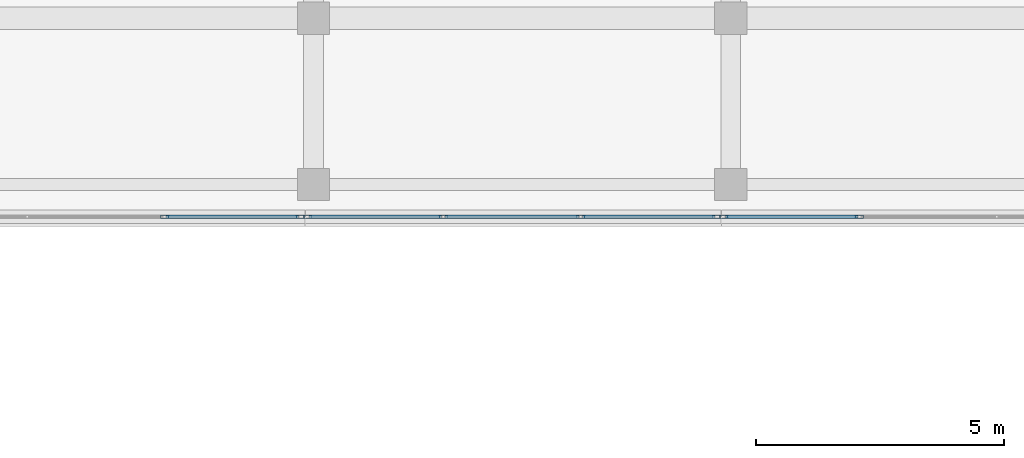
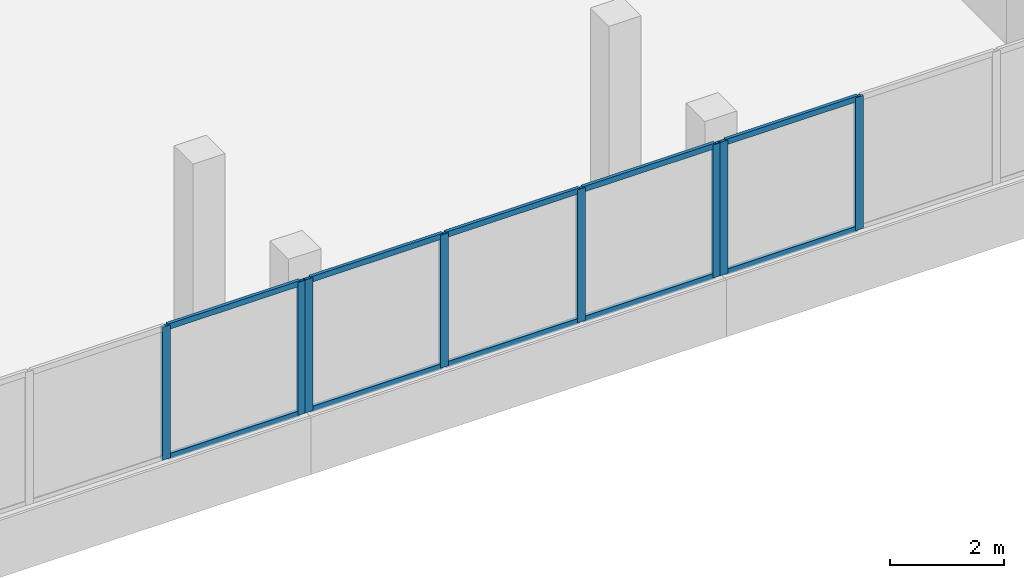
# One storey, part 29 of 76: 18 members, 3 elements without a shape of their own.
"""IFC4 building model written with IfcOpenShell, lengths in metres."""

from ifc_helpers import new_model, si_unit, direction, frame, origin, origin_2d, place, context, subcontext, project, spatial, hollow_rectangle, extrude, material, material_profile, profile_set, type_object, element, aggregate, save


model = new_model("IFC4")

# Units and contexts
model_context = context("Model", 3, precision=1e-05, world=origin(), true_north=direction((0.0, 1.0)))
body_context = subcontext(model_context, "Body", "Model", "MODEL_VIEW")
ifc_project = project(units=[si_unit("LENGTHUNIT", "METRE"), si_unit("AREAUNIT", "SQUARE_METRE"), si_unit("VOLUMEUNIT", "CUBIC_METRE"), si_unit("PLANEANGLEUNIT", "RADIAN"), si_unit("MASSUNIT", "GRAM", prefix="KILO")], contexts=[model_context])

# Site, building, storey
site_placement = place(None, origin())
site = spatial("IfcSite", under=ifc_project, at=site_placement, CompositionType="ELEMENT")
building_placement = place(site_placement, origin())
building = spatial("IfcBuilding", under=site, at=building_placement, Name="Selatvlak General Hospital", CompositionType="ELEMENT")
storey_placement = place(building_placement, frame((0.0, 0.0, 27.300048828125)))
storey = spatial("IfcBuildingStorey", under=building, at=storey_placement, Name="L06", CompositionType="ELEMENT", Elevation=27.300048828125)

# Curtain wall, members
ifc_material_1 = material(Name="Solar-control Low-E double glazing", Category="glass")
curtain_wall_type_1 = type_object("IfcCurtainWallType", Name="CW-CW-01", PredefinedType="USERDEFINED", material=ifc_material_1)
curtain_wall_1_placement = place(storey_placement, origin())
curtain_wall_1 = element("IfcCurtainWall", 1, at=curtain_wall_1_placement, inside=storey, type_object=curtain_wall_type_1, Name="Glazed facade curtain wall CW-L06-0629", ObjectType="UNITISED CURTAIN WALL", PredefinedType="USERDEFINED")
ifc_material_2 = material(Name="Dark anodised aluminium mullion", Category="aluminium")
ifc_material_profile_1 = material_profile(ifc_material_2, hollow_rectangle(XDim=0.06494140625, YDim=0.159912109375, WallThickness=0.00390625, at=origin_2d()), Name="AL-MUL 65x160x4")
ifc_profile_set_1 = profile_set([ifc_material_profile_1], Name="Dark anodised aluminium mullion")
member_type_1 = type_object("IfcMemberType", Name="CWM-01", PredefinedType="MULLION", material=ifc_profile_set_1)
member_1_placement = place(storey_placement, frame((100.991943359375, 88.000244140625, 0.93994140625), z_axis=(0.0, 0.0, 1.0), x_axis=(0.00012051097, -0.999999992739, 0.0)))
member_1 = element("IfcMember", 2, at=member_1_placement, type_object=member_type_1, Name="CW-01 mullion 3", PredefinedType="MULLION", context=body_context, shape_type="SweptSolid", body=[
    extrude(hollow_rectangle(XDim=0.06494140625, YDim=0.159912109375, WallThickness=0.00390625, at=origin_2d()), origin(), (0.0, 0.0, 1.0), 2.840087890625),
])
member_2_placement = place(storey_placement, frame((98.258544921875, 88.0, 0.93994140625), z_axis=(0.0, 0.0, 1.0), x_axis=(0.00012051097, -0.999999992739, 0.0)))
member_2 = element("IfcMember", 3, at=member_2_placement, type_object=member_type_1, Name="CW-01 mullion 4", PredefinedType="MULLION", context=body_context, shape_type="SweptSolid", body=[
    extrude(hollow_rectangle(XDim=0.06494140625, YDim=0.159912109375, WallThickness=0.00390625, at=origin_2d()), origin(), (0.0, 0.0, 1.0), 2.840087890625),
])

curtain_wall_type_2 = type_object("IfcCurtainWallType", Name="CW-CW-02", PredefinedType="USERDEFINED", material=ifc_material_1)
curtain_wall_2_placement = place(storey_placement, origin())
curtain_wall_2 = element("IfcCurtainWall", 4, at=curtain_wall_2_placement, inside=storey, type_object=curtain_wall_type_2, Name="Glazed facade curtain wall CW-L06-0630", ObjectType="UNITISED CURTAIN WALL", PredefinedType="USERDEFINED")
member_3_placement = place(storey_placement, frame((98.113525390625, 88.0, 0.93994140625), z_axis=(0.0, 0.0, 1.0), x_axis=(0.0, -1.0, 0.0)))
member_3 = element("IfcMember", 5, at=member_3_placement, type_object=member_type_1, Name="CW-02 mullion 1", PredefinedType="MULLION", context=body_context, shape_type="SweptSolid", body=[
    extrude(hollow_rectangle(XDim=0.06494140625, YDim=0.159912109375, WallThickness=0.00390625, at=origin_2d()), origin(), (0.0, 0.0, 1.0), 2.840087890625),
])
member_4_placement = place(storey_placement, frame((95.379638671875, 88.0, 0.93994140625), z_axis=(0.0, 0.0, 1.0), x_axis=(0.0, -1.0, 0.0)))
member_4 = element("IfcMember", 6, at=member_4_placement, type_object=member_type_1, Name="CW-02 mullion 2", PredefinedType="MULLION", context=body_context, shape_type="SweptSolid", body=[
    extrude(hollow_rectangle(XDim=0.06494140625, YDim=0.159912109375, WallThickness=0.00390625, at=origin_2d()), origin(), (0.0, 0.0, 1.0), 2.840087890625),
])
member_5_placement = place(storey_placement, frame((92.61328125, 88.0, 0.93994140625), z_axis=(0.0, 0.0, 1.0), x_axis=(0.0, -1.0, 0.0)))
member_5 = element("IfcMember", 7, at=member_5_placement, type_object=member_type_1, Name="CW-02 mullion 3", PredefinedType="MULLION", context=body_context, shape_type="SweptSolid", body=[
    extrude(hollow_rectangle(XDim=0.06494140625, YDim=0.159912109375, WallThickness=0.00390625, at=origin_2d()), origin(), (0.0, 0.0, 1.0), 2.840087890625),
])
member_6_placement = place(storey_placement, frame((89.87939453125, 88.0, 0.93994140625), z_axis=(0.0, 0.0, 1.0), x_axis=(0.0, -1.0, 0.0)))
member_6 = element("IfcMember", 8, at=member_6_placement, type_object=member_type_1, Name="CW-02 mullion 4", PredefinedType="MULLION", context=body_context, shape_type="SweptSolid", body=[
    extrude(hollow_rectangle(XDim=0.06494140625, YDim=0.159912109375, WallThickness=0.00390625, at=origin_2d()), origin(), (0.0, 0.0, 1.0), 2.840087890625),
])

curtain_wall_3_placement = place(storey_placement, origin())
curtain_wall_3 = element("IfcCurtainWall", 9, at=curtain_wall_3_placement, inside=storey, type_object=curtain_wall_type_1, Name="Glazed facade curtain wall CW-L06-0631", ObjectType="UNITISED CURTAIN WALL", PredefinedType="USERDEFINED")
member_7_placement = place(storey_placement, frame((89.734619140625, 88.0, 0.93994140625), z_axis=(0.0, 0.0, 1.0), x_axis=(0.0, -1.0, 0.0)))
member_7 = element("IfcMember", 10, at=member_7_placement, type_object=member_type_1, Name="CW-01 mullion 1", PredefinedType="MULLION", context=body_context, shape_type="SweptSolid", body=[
    extrude(hollow_rectangle(XDim=0.06494140625, YDim=0.159912109375, WallThickness=0.00390625, at=origin_2d()), origin(), (0.0, 0.0, 1.0), 2.840087890625),
])
member_8_placement = place(storey_placement, frame((87.000732421875, 88.0, 0.93994140625), z_axis=(0.0, 0.0, 1.0), x_axis=(0.0, -1.0, 0.0)))
member_8 = element("IfcMember", 11, at=member_8_placement, type_object=member_type_1, Name="CW-01 mullion 2", PredefinedType="MULLION", context=body_context, shape_type="SweptSolid", body=[
    extrude(hollow_rectangle(XDim=0.06494140625, YDim=0.159912109375, WallThickness=0.00390625, at=origin_2d()), origin(), (0.0, 0.0, 1.0), 2.840087890625),
])

# Member
ifc_material_profile_2 = material_profile(ifc_material_2, hollow_rectangle(XDim=0.06494140625, YDim=0.1201171875, WallThickness=0.00390625, at=origin_2d()), Name="AL-TRN 65x120x4")
ifc_profile_set_2 = profile_set([ifc_material_profile_2], Name="Dark anodised aluminium mullion")
member_type_2 = type_object("IfcMemberType", Name="CWT-01", PredefinedType="USERDEFINED", material=ifc_profile_set_2)
member_9_placement = place(storey_placement, frame((100.95947265625, 88.000244140625, 0.972412109375), z_axis=(-0.999999995815, -9.1491308e-05, 0.0), x_axis=(9.1491308e-05, -0.999999995815, 0.0)))
member_9 = element("IfcMember", 12, at=member_9_placement, type_object=member_type_2, Name="CW-01 transom 3.1", ObjectType="TRANSOM", PredefinedType="USERDEFINED", context=body_context, shape_type="SweptSolid", body=[
    extrude(hollow_rectangle(XDim=0.06494140625, YDim=0.1201171875, WallThickness=0.00390625, at=origin_2d()), origin(), (0.0, 0.0, 1.0), 2.66845703125),
])

member_10_placement = place(storey_placement, frame((100.95947265625, 88.000244140625, 3.74755859375), z_axis=(-0.999999995815, -9.1491308e-05, 0.0), x_axis=(9.1491308e-05, -0.999999995815, 0.0)))
member_10 = element("IfcMember", 13, at=member_10_placement, type_object=member_type_2, Name="CW-01 transom 3.2", ObjectType="TRANSOM", PredefinedType="USERDEFINED", context=body_context, shape_type="SweptSolid", body=[
    extrude(hollow_rectangle(XDim=0.06494140625, YDim=0.1201171875, WallThickness=0.00390625, at=origin_2d()), origin(), (0.0, 0.0, 1.0), 2.66845703125),
])

aggregate(curtain_wall_1, [member_1, member_2, member_9, member_10])

member_11_placement = place(storey_placement, frame((98.0810546875, 88.0, 0.972412109375), z_axis=(-1.0, 0.0, 0.0), x_axis=(0.0, -1.0, 0.0)))
member_11 = element("IfcMember", 14, at=member_11_placement, type_object=member_type_2, Name="CW-02 transom 1.1", ObjectType="TRANSOM", PredefinedType="USERDEFINED", context=body_context, shape_type="SweptSolid", body=[
    extrude(hollow_rectangle(XDim=0.06494140625, YDim=0.1201171875, WallThickness=0.00390625, at=origin_2d()), origin(), (0.0, 0.0, 1.0), 2.6689453125),
])

member_12_placement = place(storey_placement, frame((98.0810546875, 88.0, 3.74755859375), z_axis=(-1.0, 0.0, 0.0), x_axis=(0.0, -1.0, 0.0)))
member_12 = element("IfcMember", 15, at=member_12_placement, type_object=member_type_2, Name="CW-02 transom 1.2", ObjectType="TRANSOM", PredefinedType="USERDEFINED", context=body_context, shape_type="SweptSolid", body=[
    extrude(hollow_rectangle(XDim=0.06494140625, YDim=0.1201171875, WallThickness=0.00390625, at=origin_2d()), origin(), (0.0, 0.0, 1.0), 2.6689453125),
])

member_13_placement = place(storey_placement, frame((95.34716796875, 88.0, 0.972412109375), z_axis=(-1.0, 0.0, 0.0), x_axis=(0.0, -1.0, 0.0)))
member_13 = element("IfcMember", 16, at=member_13_placement, type_object=member_type_2, Name="CW-02 transom 2.1", ObjectType="TRANSOM", PredefinedType="USERDEFINED", context=body_context, shape_type="SweptSolid", body=[
    extrude(hollow_rectangle(XDim=0.06494140625, YDim=0.1201171875, WallThickness=0.00390625, at=origin_2d()), origin(), (0.0, 0.0, 1.0), 2.701416015625),
])

member_14_placement = place(storey_placement, frame((95.34716796875, 88.0, 3.74755859375), z_axis=(-1.0, 0.0, 0.0), x_axis=(0.0, -1.0, 0.0)))
member_14 = element("IfcMember", 17, at=member_14_placement, type_object=member_type_2, Name="CW-02 transom 2.2", ObjectType="TRANSOM", PredefinedType="USERDEFINED", context=body_context, shape_type="SweptSolid", body=[
    extrude(hollow_rectangle(XDim=0.06494140625, YDim=0.1201171875, WallThickness=0.00390625, at=origin_2d()), origin(), (0.0, 0.0, 1.0), 2.701416015625),
])

member_15_placement = place(storey_placement, frame((92.580810546875, 88.0, 0.972412109375), z_axis=(-1.0, 0.0, 0.0), x_axis=(0.0, -1.0, 0.0)))
member_15 = element("IfcMember", 18, at=member_15_placement, type_object=member_type_2, Name="CW-02 transom 3.1", ObjectType="TRANSOM", PredefinedType="USERDEFINED", context=body_context, shape_type="SweptSolid", body=[
    extrude(hollow_rectangle(XDim=0.06494140625, YDim=0.1201171875, WallThickness=0.00390625, at=origin_2d()), origin(), (0.0, 0.0, 1.0), 2.668701171875),
])

member_16_placement = place(storey_placement, frame((92.580810546875, 88.0, 3.74755859375), z_axis=(-1.0, 0.0, 0.0), x_axis=(0.0, -1.0, 0.0)))
member_16 = element("IfcMember", 19, at=member_16_placement, type_object=member_type_2, Name="CW-02 transom 3.2", ObjectType="TRANSOM", PredefinedType="USERDEFINED", context=body_context, shape_type="SweptSolid", body=[
    extrude(hollow_rectangle(XDim=0.06494140625, YDim=0.1201171875, WallThickness=0.00390625, at=origin_2d()), origin(), (0.0, 0.0, 1.0), 2.668701171875),
])

aggregate(curtain_wall_2, [member_3, member_4, member_5, member_6, member_11, member_12, member_13, member_14, member_15, member_16])

member_17_placement = place(storey_placement, frame((89.701904296875, 88.0, 0.972412109375), z_axis=(-1.0, 0.0, 0.0), x_axis=(0.0, -1.0, 0.0)))
member_17 = element("IfcMember", 20, at=member_17_placement, type_object=member_type_2, Name="CW-01 transom 1.1", ObjectType="TRANSOM", PredefinedType="USERDEFINED", context=body_context, shape_type="SweptSolid", body=[
    extrude(hollow_rectangle(XDim=0.06494140625, YDim=0.1201171875, WallThickness=0.00390625, at=origin_2d()), origin(), (0.0, 0.0, 1.0), 2.668701171875),
])

member_18_placement = place(storey_placement, frame((89.701904296875, 88.0, 3.74755859375), z_axis=(-1.0, 0.0, 0.0), x_axis=(0.0, -1.0, 0.0)))
member_18 = element("IfcMember", 21, at=member_18_placement, type_object=member_type_2, Name="CW-01 transom 1.2", ObjectType="TRANSOM", PredefinedType="USERDEFINED", context=body_context, shape_type="SweptSolid", body=[
    extrude(hollow_rectangle(XDim=0.06494140625, YDim=0.1201171875, WallThickness=0.00390625, at=origin_2d()), origin(), (0.0, 0.0, 1.0), 2.668701171875),
])

aggregate(curtain_wall_3, [member_7, member_8, member_17, member_18])

save(model, "model.ifc")
